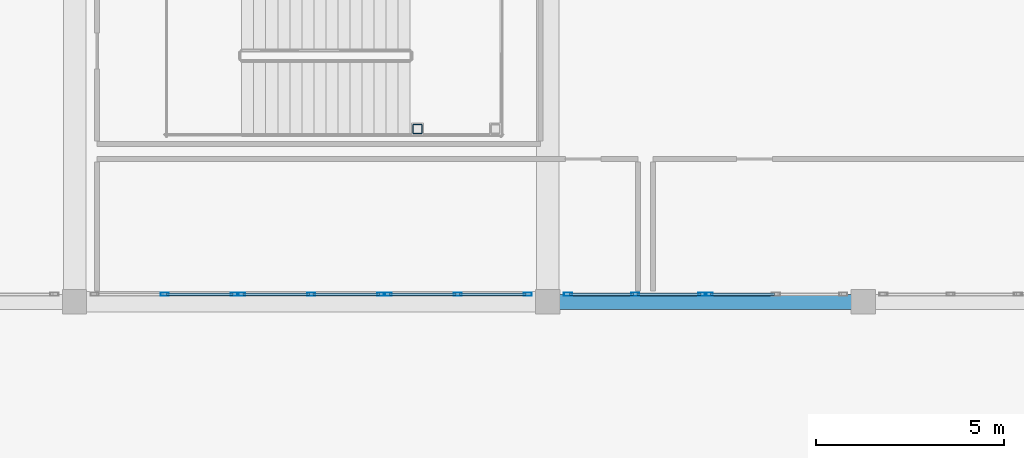
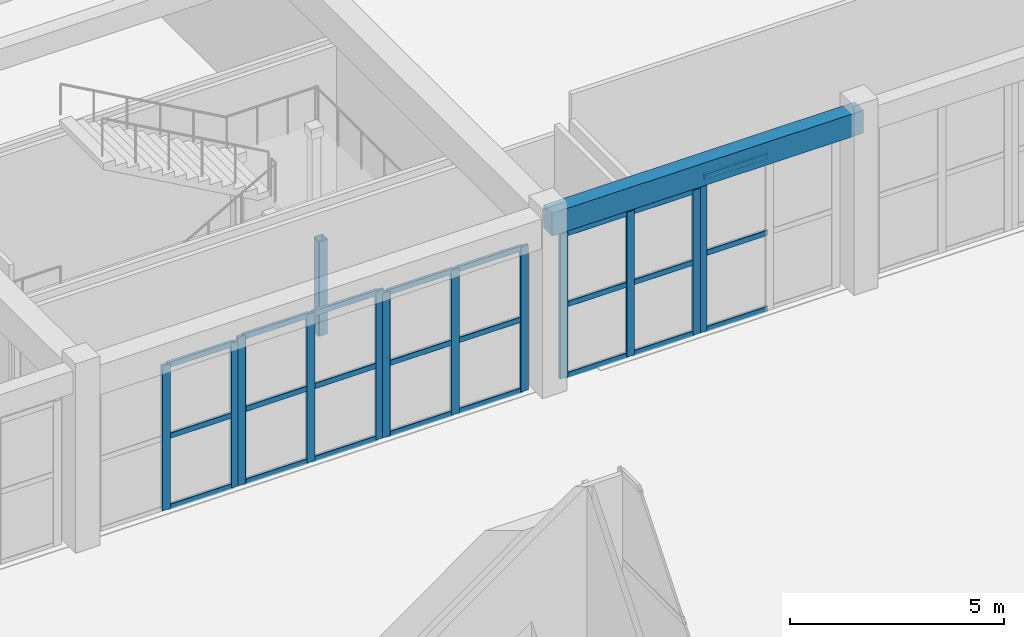
# One storey, part 20 of 98: 37 members, 1 beam, 5 elements without a shape of their own.
"""IFC4 building model written with IfcOpenShell, lengths in metres."""

import ifcopenshell
import ifcopenshell.guid

model = None  # the IFC model being written
_history = None  # IfcOwnerHistory: only IFC2X3 demands one
_inside = {}  # id of a spatial element -> (the spatial element, [elements in it])
_under = {}  # id of a project, library or spatial element -> (it, [spatial elements below it])
_declared = {}  # id of a project -> (the project, [libraries it declares])
_typed = {}  # id of a type object -> (the type object, [elements of that type])
_made_of = {}  # id of a material, layer set ... -> (it, [elements and type objects made of it])


def new_model(schema):
    """Start an empty IFC model of exactly this schema.

    Asked for "IFC4X3", IfcOpenShell would pick the latest addendum, in which some entities
    have other attributes; the version numbers below select the first issue.
    IFC2X3 requires an IfcOwnerHistory on every rooted entity: one is made here for all.
    """
    global model, _history
    if schema == "IFC4X3":
        model = ifcopenshell.file(schema_version=(4, 3, 0, 0))
    else:
        model = ifcopenshell.file(schema=schema)
    _inside.clear()
    _under.clear()
    _declared.clear()
    _typed.clear()
    _made_of.clear()
    _history = None
    if model.schema == "IFC2X3":
        org = make("IfcOrganization", Name="unknown")
        user = make(
            "IfcPersonAndOrganization",
            ThePerson=make("IfcPerson", FamilyName="unknown"),
            TheOrganization=org,
        )
        app = make(
            "IfcApplication",
            ApplicationDeveloper=org,
            Version="unknown",
            ApplicationFullName="unknown",
            ApplicationIdentifier="unknown",
        )
        _history = make(
            "IfcOwnerHistory",
            OwningUser=user,
            OwningApplication=app,
            ChangeAction="ADDED",
            CreationDate=0,
        )
    return model


def make(cls, **values):
    """One entity of the class cls with the attributes given. An attribute that is None is left unset."""
    return model.create_entity(
        cls, **{name: value for name, value in values.items() if value is not None}
    )


def rooted(cls, **values):
    """An entity with a GlobalId (a new one), such as an element, a storey or a relation."""
    return make(cls, GlobalId=ifcopenshell.guid.new(), OwnerHistory=_history, **values)


def si_unit(unit_type, name, prefix=None):
    """IfcSIUnit, for example si_unit("LENGTHUNIT", "METRE", prefix="MILLI")."""
    return make("IfcSIUnit", UnitType=unit_type, Prefix=prefix, Name=name)


def assignment(units):
    """IfcUnitAssignment: the units of a project."""
    return None if units is None else make("IfcUnitAssignment", Units=units)


def point(xyz):
    """IfcCartesianPoint."""
    return None if xyz is None else make("IfcCartesianPoint", Coordinates=xyz)


def direction(xyz):
    """IfcDirection."""
    return None if xyz is None else make("IfcDirection", DirectionRatios=xyz)


def frame(location, z_axis=None, x_axis=None):
    """IfcAxis2Placement3D, a coordinate frame: its origin and axes. An axis left out is left unset."""
    return make(
        "IfcAxis2Placement3D",
        Location=point(location),
        Axis=direction(z_axis),
        RefDirection=direction(x_axis),
    )


def frame_2d(location, x_axis=None):
    """IfcAxis2Placement2D, a coordinate frame in the plane: its origin and x axis."""
    return make(
        "IfcAxis2Placement2D", Location=point(location), RefDirection=direction(x_axis)
    )


def origin():
    """The frame at (0, 0, 0) with its axes left unset."""
    return frame((0.0, 0.0, 0.0))


def origin_2d():
    """The frame at (0, 0) in the plane with its x axis left unset."""
    return frame_2d((0.0, 0.0))


def place(relative_to, where):
    """IfcLocalPlacement: puts the frame where relative to a parent placement (None: the world)."""
    return make(
        "IfcLocalPlacement", PlacementRelTo=relative_to, RelativePlacement=where
    )


def context(
    kind, dimensions, precision=None, world=None, true_north=None, identifier=None
):
    """IfcGeometricRepresentationContext, for example the 3D "Model" context."""
    return make(
        "IfcGeometricRepresentationContext",
        ContextIdentifier=identifier,
        ContextType=kind,
        CoordinateSpaceDimension=dimensions,
        Precision=precision,
        WorldCoordinateSystem=world,
        TrueNorth=true_north,
    )


def subcontext(parent, identifier, kind, view, scale=None):
    """IfcGeometricRepresentationSubContext, for example "Body" below "Model"."""
    return make(
        "IfcGeometricRepresentationSubContext",
        ContextIdentifier=identifier,
        ContextType=kind,
        ParentContext=parent,
        TargetScale=scale,
        TargetView=view,
    )


def project(units=None, contexts=None):
    """IfcProject with its units and contexts."""
    return rooted(
        "IfcProject",
        Name="project",
        RepresentationContexts=contexts,
        UnitsInContext=assignment(units),
    )


def spatial(cls, under=None, at=None, **own):
    """A site, building, storey or space (cls), placed at a placement, below another one or the project."""
    s = rooted(cls, ObjectPlacement=at, **own)
    if under is not None:
        _under.setdefault(under.id(), (under, []))[1].append(s)
    return s


def profile(cls, at=None, kind="AREA", **sizes):
    """A parametric profile (cls). Its sizes go by their IFC names, for example OverallWidth=200.0."""
    return make(cls, ProfileType=kind, Position=at, **sizes)


def rectangle(**sizes):
    """IfcRectangleProfileDef."""
    return profile("IfcRectangleProfileDef", **sizes)


def hollow_rectangle(**sizes):
    """IfcRectangleHollowProfileDef."""
    return profile("IfcRectangleHollowProfileDef", **sizes)


def extrude(swept, where, along, depth):
    """IfcExtrudedAreaSolid: the profile swept, set in the frame where, extruded along a direction by depth."""
    return make(
        "IfcExtrudedAreaSolid",
        SweptArea=swept,
        Position=where,
        ExtrudedDirection=direction(along),
        Depth=depth,
    )


def shape(context_of_items, identifier, shape_type, items):
    """IfcShapeRepresentation: the items that make up one representation, for example the "Body"."""
    return make(
        "IfcShapeRepresentation",
        ContextOfItems=context_of_items,
        RepresentationIdentifier=identifier,
        RepresentationType=shape_type,
        Items=items,
    )


def material(Name=None, Category=None):
    """IfcMaterial."""
    return make("IfcMaterial", Name=Name, Category=Category)


def layer(
    of_material, thickness, ventilated=None, Name=None, Category=None, Priority=None
):
    """IfcMaterialLayer: one layer of a wall or slab, of a material (None: an air gap)."""
    return make(
        "IfcMaterialLayer",
        Material=of_material,
        LayerThickness=thickness,
        IsVentilated=ventilated,
        Name=Name,
        Category=Category,
        Priority=Priority,
    )


def layer_set(layers, Name=None):
    """IfcMaterialLayerSet."""
    return make("IfcMaterialLayerSet", MaterialLayers=layers, LayerSetName=Name)


def material_profile(
    of_material, cross_section, Name=None, Category=None, Priority=None
):
    """IfcMaterialProfile: a cross section and its material."""
    return make(
        "IfcMaterialProfile",
        Name=Name,
        Material=of_material,
        Profile=cross_section,
        Priority=Priority,
        Category=Category,
    )


def profile_set(profiles, Name=None, composite=None):
    """IfcMaterialProfileSet."""
    return make(
        "IfcMaterialProfileSet",
        Name=Name,
        MaterialProfiles=profiles,
        CompositeProfile=composite,
    )


def made_of(thing, what):
    """Note that an element or type object is made of a material, layer set ...; save() writes the relation."""
    if what is not None:
        _made_of.setdefault(what.id(), (what, []))[1].append(thing)
    return thing


def type_object(cls, material=None, **own):
    """A type object (cls), such as IfcWallType, which elements share."""
    return made_of(rooted(cls, **own), material)


def element(
    cls,
    number,
    at=None,
    inside=None,
    cuts=None,
    type_object=None,
    material=None,
    context=None,
    identifier="Body",
    shape_type=None,
    held_by="IfcProductDefinitionShape",
    body=None,
    shapes=None,
    **own,
):
    """One element of the class cls, such as IfcWall. Its Tag is "e" and its number.

    at: its placement. inside: the storey or other place that contains it. cuts: it is an
    opening in that element (IfcRelVoidsElement). A single representation is given by context,
    identifier, shape_type and body (its items); several are given by shapes. held_by: the class
    of the entity that holds the representations. save() writes the other relations.
    """
    e = rooted(cls, Tag="e%d" % number, ObjectPlacement=at, **own)
    if body is not None:
        shapes = [shape(context, identifier, shape_type, body)]
    if shapes is not None:
        e.Representation = make(held_by, Representations=shapes)
    if inside is not None:
        _inside.setdefault(inside.id(), (inside, []))[1].append(e)
    if cuts is not None:
        rooted(
            "IfcRelVoidsElement", RelatingBuildingElement=cuts, RelatedOpeningElement=e
        )
    if type_object is not None:
        _typed.setdefault(type_object.id(), (type_object, []))[1].append(e)
    return made_of(e, material)


def aggregate(whole, parts):
    """IfcRelAggregates: a whole, such as a stair, and the parts it consists of."""
    return rooted("IfcRelAggregates", RelatingObject=whole, RelatedObjects=parts)


def save(model, path):
    """Write the relations noted so far, then the file.

    IfcRelAggregates (storeys below a building ...), IfcRelContainedInSpatialStructure (elements
    in a storey), IfcRelDefinesByType, IfcRelAssociatesMaterial and IfcRelDeclares: one each for
    every whole, place, type object, material and project.
    """
    for whole, parts in _under.values():
        aggregate(whole, parts)
    for where, things in _inside.values():
        rooted(
            "IfcRelContainedInSpatialStructure",
            RelatedElements=things,
            RelatingStructure=where,
        )
    for kind, things in _typed.values():
        rooted("IfcRelDefinesByType", RelatedObjects=things, RelatingType=kind)
    for what, things in _made_of.values():
        rooted("IfcRelAssociatesMaterial", RelatedObjects=things, RelatingMaterial=what)
    for by, libraries in _declared.values():
        rooted("IfcRelDeclares", RelatingContext=by, RelatedDefinitions=libraries)
    model.write(path)


model = new_model("IFC4")

# Units and contexts
model_context = context("Model", 3, precision=1e-05, world=origin(), true_north=direction((0.0, 1.0)))
body_context = subcontext(model_context, "Body", "Model", "MODEL_VIEW")
ifc_project = project(units=[si_unit("LENGTHUNIT", "METRE"), si_unit("AREAUNIT", "SQUARE_METRE"), si_unit("VOLUMEUNIT", "CUBIC_METRE"), si_unit("PLANEANGLEUNIT", "RADIAN"), si_unit("MASSUNIT", "GRAM", prefix="KILO")], contexts=[model_context])

# Site, building, storey
site_placement = place(None, origin())
site = spatial("IfcSite", under=ifc_project, at=site_placement, CompositionType="ELEMENT")
building_placement = place(site_placement, origin())
building = spatial("IfcBuilding", under=site, at=building_placement, Name="Tarnavel Promenade Courthouse", CompositionType="ELEMENT")
storey_placement = place(building_placement, origin())
storey = spatial("IfcBuildingStorey", under=building, at=storey_placement, Name="L01", CompositionType="ELEMENT", Elevation=0.0)

# Beam
ifc_material_1 = material(Name="Concrete C40/50", Category="concrete")
ifc_material_profile_1 = material_profile(ifc_material_1, rectangle(XDim=0.39990234375, YDim=0.64990234375, at=origin_2d()), Name="RC 400x650")
ifc_profile_set_1 = profile_set([ifc_material_profile_1], Name="Concrete C40/50")
beam_type = type_object("IfcBeamType", Name="Concrete C40/50 BM-RC-400x650 (RC 400x650)", PredefinedType="BEAM", material=ifc_profile_set_1)
beam_placement = place(storey_placement, frame((58.800048828125, 46.800048828125, 4.77001953125), z_axis=(1.0, 0.0, 0.0), x_axis=(0.0, 1.0, 0.0)))
element("IfcBeam", 1, at=beam_placement, inside=storey, type_object=beam_type, Name="L01 Primary Longitudinal Beam 0620", PredefinedType="BEAM", context=body_context, shape_type="SweptSolid", body=[
    extrude(rectangle(XDim=0.39990234375, YDim=0.64990234375, at=origin_2d()), origin(), (0.0, 0.0, 1.0), 8.39990234375),
])

# Member
ifc_material_2 = material(Name="Steel S355J2", Category="steel")
ifc_material_profile_2 = material_profile(ifc_material_2, hollow_rectangle(XDim=0.25, YDim=0.25, WallThickness=0.012451171875, InnerFilletRadius=0.012451171875, OuterFilletRadius=0.02490234375, at=origin_2d()), Name="SHS 250x250x12.5")
ifc_profile_set_2 = profile_set([ifc_material_profile_2], Name="Steel S355J2")
member_type_1 = type_object("IfcMemberType", Name="Steel S355J2 MEM-STR-SHS250 (SHS 250x250x12.5)", PredefinedType="STRUT", material=ifc_profile_set_2)
member_1_placement = place(storey_placement, frame((55.330078125, 51.39990234375, 0.0), z_axis=(0.0, 0.0, 1.0), x_axis=(1.0, 0.0, 0.0)))
element("IfcMember", 2, at=member_1_placement, inside=storey, type_object=member_type_1, Name="L01 ST-10 Monumental Stair Landing Post 1", PredefinedType="STRUT", context=body_context, shape_type="SweptSolid", body=[
    extrude(hollow_rectangle(XDim=0.25, YDim=0.25, WallThickness=0.012451171875, InnerFilletRadius=0.012451171875, OuterFilletRadius=0.02490234375, at=origin_2d()), origin(), (0.0, 0.0, 1.0), 2.699951171875),
])

# Curtain wall, members
ifc_material_3 = material(Name="Thermally Broken Anodised Aluminium Curtain Wall System", Category="aluminium")
ifc_layer = layer(ifc_material_3, 0.239990234375)
ifc_layer_set = layer_set([ifc_layer], Name="Thermally Broken Anodised Aluminium Curtain Wall System")
curtain_wall_type = type_object("IfcCurtainWallType", Name="Thermally Broken Aluminium Triple-Glazed Curtain Wall CW-WG-S", PredefinedType="NOTDEFINED", material=ifc_layer_set)
curtain_wall_1_placement = place(storey_placement, origin())
curtain_wall_1 = element("IfcCurtainWall", 3, at=curtain_wall_1_placement, inside=storey, type_object=curtain_wall_type, Name="L01 Winter-Garden South Solar Curtain Wall 044", PredefinedType="NOTDEFINED")
ifc_material_4 = material(Name="Thermally Broken Anodised Aluminium Frame", Category="aluminium")
ifc_material_profile_3 = material_profile(ifc_material_4, hollow_rectangle(XDim=0.090087890625, YDim=0.219970703125, WallThickness=0.0048828125, InnerFilletRadius=0.0048828125, OuterFilletRadius=0.010009765625, at=origin_2d()), Name="CWM 220x90x5")
ifc_profile_set_3 = profile_set([ifc_material_profile_3], Name="Thermally Broken Anodised Aluminium Frame")
member_type_2 = type_object("IfcMemberType", Name="Thermally Broken Anodised Aluminium CWM-175 (CWM 220x90x5)", PredefinedType="MULLION", material=ifc_profile_set_3)
member_2_placement = place(storey_placement, frame((48.60009765625, 47.0, 0.0), z_axis=(0.0, 0.0, 1.0), x_axis=(0.0, 1.0, 0.0)))
member_2 = element("IfcMember", 4, at=member_2_placement, type_object=member_type_2, Name="CW-02 mullion 2", PredefinedType="MULLION", context=body_context, shape_type="SweptSolid", body=[
    extrude(hollow_rectangle(XDim=0.090087890625, YDim=0.219970703125, WallThickness=0.0048828125, InnerFilletRadius=0.0048828125, OuterFilletRadius=0.010009765625, at=origin_2d()), origin(), (0.0, 0.0, 1.0), 4.1298828125),
])
member_3_placement = place(storey_placement, frame((50.465087890625, 47.0, 0.0), z_axis=(0.0, 0.0, 1.0), x_axis=(0.0, 1.0, 0.0)))
member_3 = element("IfcMember", 5, at=member_3_placement, type_object=member_type_2, Name="CW-02 mullion 3", PredefinedType="MULLION", context=body_context, shape_type="SweptSolid", body=[
    extrude(hollow_rectangle(XDim=0.090087890625, YDim=0.219970703125, WallThickness=0.0048828125, InnerFilletRadius=0.0048828125, OuterFilletRadius=0.010009765625, at=origin_2d()), origin(), (0.0, 0.0, 1.0), 4.1298828125),
])

curtain_wall_2_placement = place(storey_placement, origin())
curtain_wall_2 = element("IfcCurtainWall", 6, at=curtain_wall_2_placement, inside=storey, type_object=curtain_wall_type, Name="L01 Winter-Garden South Solar Curtain Wall 045", PredefinedType="NOTDEFINED")
member_4_placement = place(storey_placement, frame((50.635009765625, 47.0, 0.0), z_axis=(0.0, 0.0, 1.0), x_axis=(0.0, 1.0, 0.0)))
member_4 = element("IfcMember", 7, at=member_4_placement, type_object=member_type_2, Name="CW-02 mullion 1", PredefinedType="MULLION", context=body_context, shape_type="SweptSolid", body=[
    extrude(hollow_rectangle(XDim=0.090087890625, YDim=0.219970703125, WallThickness=0.0048828125, InnerFilletRadius=0.0048828125, OuterFilletRadius=0.010009765625, at=origin_2d()), origin(), (0.0, 0.0, 1.0), 4.22998046875),
])
member_5_placement = place(storey_placement, frame((52.5, 47.0, 0.0), z_axis=(0.0, 0.0, 1.0), x_axis=(0.0, 1.0, 0.0)))
member_5 = element("IfcMember", 8, at=member_5_placement, type_object=member_type_2, Name="CW-02 mullion 2", PredefinedType="MULLION", context=body_context, shape_type="SweptSolid", body=[
    extrude(hollow_rectangle(XDim=0.090087890625, YDim=0.219970703125, WallThickness=0.0048828125, InnerFilletRadius=0.0048828125, OuterFilletRadius=0.010009765625, at=origin_2d()), origin(), (0.0, 0.0, 1.0), 4.22998046875),
])
member_6_placement = place(storey_placement, frame((54.364990234375, 47.0, 0.0), z_axis=(0.0, 0.0, 1.0), x_axis=(0.0, 1.0, 0.0)))
member_6 = element("IfcMember", 9, at=member_6_placement, type_object=member_type_2, Name="CW-02 mullion 3", PredefinedType="MULLION", context=body_context, shape_type="SweptSolid", body=[
    extrude(hollow_rectangle(XDim=0.090087890625, YDim=0.219970703125, WallThickness=0.0048828125, InnerFilletRadius=0.0048828125, OuterFilletRadius=0.010009765625, at=origin_2d()), origin(), (0.0, 0.0, 1.0), 4.22998046875),
])

curtain_wall_3_placement = place(storey_placement, origin())
curtain_wall_3 = element("IfcCurtainWall", 10, at=curtain_wall_3_placement, inside=storey, type_object=curtain_wall_type, Name="L01 Winter-Garden South Solar Curtain Wall 046", PredefinedType="NOTDEFINED")
member_7_placement = place(storey_placement, frame((54.534912109375, 47.0, 0.0), z_axis=(0.0, 0.0, 1.0), x_axis=(0.0, 1.0, 0.0)))
member_7 = element("IfcMember", 11, at=member_7_placement, type_object=member_type_2, Name="CW-02 mullion 1", PredefinedType="MULLION", context=body_context, shape_type="SweptSolid", body=[
    extrude(hollow_rectangle(XDim=0.090087890625, YDim=0.219970703125, WallThickness=0.0048828125, InnerFilletRadius=0.0048828125, OuterFilletRadius=0.010009765625, at=origin_2d()), origin(), (0.0, 0.0, 1.0), 4.1298828125),
])
member_8_placement = place(storey_placement, frame((56.39990234375, 47.0, 0.0), z_axis=(0.0, 0.0, 1.0), x_axis=(0.0, 1.0, 0.0)))
member_8 = element("IfcMember", 12, at=member_8_placement, type_object=member_type_2, Name="CW-02 mullion 2", PredefinedType="MULLION", context=body_context, shape_type="SweptSolid", body=[
    extrude(hollow_rectangle(XDim=0.090087890625, YDim=0.219970703125, WallThickness=0.0048828125, InnerFilletRadius=0.0048828125, OuterFilletRadius=0.010009765625, at=origin_2d()), origin(), (0.0, 0.0, 1.0), 4.1298828125),
])
member_9_placement = place(storey_placement, frame((58.264892578125, 47.0, 0.0), z_axis=(0.0, 0.0, 1.0), x_axis=(0.0, 1.0, 0.0)))
member_9 = element("IfcMember", 13, at=member_9_placement, type_object=member_type_2, Name="CW-02 mullion 3", PredefinedType="MULLION", context=body_context, shape_type="SweptSolid", body=[
    extrude(hollow_rectangle(XDim=0.090087890625, YDim=0.219970703125, WallThickness=0.0048828125, InnerFilletRadius=0.0048828125, OuterFilletRadius=0.010009765625, at=origin_2d()), origin(), (0.0, 0.0, 1.0), 4.1298828125),
])

curtain_wall_4_placement = place(storey_placement, origin())
curtain_wall_4 = element("IfcCurtainWall", 14, at=curtain_wall_4_placement, inside=storey, type_object=curtain_wall_type, Name="L01 Winter-Garden South Solar Curtain Wall 047", PredefinedType="NOTDEFINED")
member_10_placement = place(storey_placement, frame((59.3349609375, 47.0, 0.0), z_axis=(0.0, 0.0, 1.0), x_axis=(0.0, 1.0, 0.0)))
member_10 = element("IfcMember", 15, at=member_10_placement, type_object=member_type_2, Name="CW-02 mullion 1", PredefinedType="MULLION", context=body_context, shape_type="SweptSolid", body=[
    extrude(hollow_rectangle(XDim=0.090087890625, YDim=0.219970703125, WallThickness=0.0048828125, InnerFilletRadius=0.0048828125, OuterFilletRadius=0.010009765625, at=origin_2d()), origin(), (0.0, 0.0, 1.0), 4.1298828125),
])
member_11_placement = place(storey_placement, frame((61.125, 47.0, 0.0), z_axis=(0.0, 0.0, 1.0), x_axis=(0.0, 1.0, 0.0)))
member_11 = element("IfcMember", 16, at=member_11_placement, type_object=member_type_2, Name="CW-02 mullion 2", PredefinedType="MULLION", context=body_context, shape_type="SweptSolid", body=[
    extrude(hollow_rectangle(XDim=0.090087890625, YDim=0.219970703125, WallThickness=0.0048828125, InnerFilletRadius=0.0048828125, OuterFilletRadius=0.010009765625, at=origin_2d()), origin(), (0.0, 0.0, 1.0), 4.1298828125),
])
member_12_placement = place(storey_placement, frame((62.9150390625, 47.0, 0.0), z_axis=(0.0, 0.0, 1.0), x_axis=(0.0, 1.0, 0.0)))
member_12 = element("IfcMember", 17, at=member_12_placement, type_object=member_type_2, Name="CW-02 mullion 3", PredefinedType="MULLION", context=body_context, shape_type="SweptSolid", body=[
    extrude(hollow_rectangle(XDim=0.090087890625, YDim=0.219970703125, WallThickness=0.0048828125, InnerFilletRadius=0.0048828125, OuterFilletRadius=0.010009765625, at=origin_2d()), origin(), (0.0, 0.0, 1.0), 4.1298828125),
])

# Curtain wall, member
curtain_wall_5_placement = place(storey_placement, origin())
curtain_wall_5 = element("IfcCurtainWall", 18, at=curtain_wall_5_placement, inside=storey, type_object=curtain_wall_type, Name="L01 Winter-Garden South Solar Curtain Wall 048", PredefinedType="NOTDEFINED")
member_13_placement = place(storey_placement, frame((63.0849609375, 47.0, 0.0), z_axis=(0.0, 0.0, 1.0), x_axis=(0.0, 1.0, 0.0)))
member_13 = element("IfcMember", 19, at=member_13_placement, type_object=member_type_2, Name="CW-02 mullion 1", PredefinedType="MULLION", context=body_context, shape_type="SweptSolid", body=[
    extrude(hollow_rectangle(XDim=0.090087890625, YDim=0.219970703125, WallThickness=0.0048828125, InnerFilletRadius=0.0048828125, OuterFilletRadius=0.010009765625, at=origin_2d()), origin(), (0.0, 0.0, 1.0), 4.429931640625),
])

# Member
ifc_material_profile_4 = material_profile(ifc_material_4, hollow_rectangle(XDim=0.080078125, YDim=0.159912109375, WallThickness=0.0048828125, InnerFilletRadius=0.0048828125, OuterFilletRadius=0.010009765625, at=origin_2d()), Name="CWT 160x80x5")
ifc_profile_set_4 = profile_set([ifc_material_profile_4], Name="Thermally Broken Anodised Aluminium Frame")
member_type_3 = type_object("IfcMemberType", Name="Thermally Broken Anodised Aluminium CWT-145 (CWT 160x80x5)", PredefinedType="USERDEFINED", material=ifc_profile_set_4)
member_14_placement = place(storey_placement, frame((48.64501953125, 47.0, 0.0400390625), z_axis=(1.0, 0.0, 0.0), x_axis=(0.0, 1.0, 0.0)))
member_14 = element("IfcMember", 20, at=member_14_placement, type_object=member_type_3, Name="CW-02 transom 2.1", ObjectType="TRANSOM", PredefinedType="USERDEFINED", context=body_context, shape_type="SweptSolid", body=[
    extrude(hollow_rectangle(XDim=0.080078125, YDim=0.159912109375, WallThickness=0.0048828125, InnerFilletRadius=0.0048828125, OuterFilletRadius=0.010009765625, at=origin_2d()), origin(), (0.0, 0.0, 1.0), 1.77490234375),
])

member_15_placement = place(storey_placement, frame((48.64501953125, 47.0, 2.06494140625), z_axis=(1.0, 0.0, 0.0), x_axis=(0.0, 1.0, 0.0)))
member_15 = element("IfcMember", 21, at=member_15_placement, type_object=member_type_3, Name="CW-02 transom 2.2", ObjectType="TRANSOM", PredefinedType="USERDEFINED", context=body_context, shape_type="SweptSolid", body=[
    extrude(hollow_rectangle(XDim=0.080078125, YDim=0.159912109375, WallThickness=0.0048828125, InnerFilletRadius=0.0048828125, OuterFilletRadius=0.010009765625, at=origin_2d()), origin(), (0.0, 0.0, 1.0), 1.77490234375),
])

member_16_placement = place(storey_placement, frame((48.64501953125, 47.0, 4.090087890625), z_axis=(1.0, 0.0, 0.0), x_axis=(0.0, 1.0, 0.0)))
member_16 = element("IfcMember", 22, at=member_16_placement, type_object=member_type_3, Name="CW-02 transom 2.3", ObjectType="TRANSOM", PredefinedType="USERDEFINED", context=body_context, shape_type="SweptSolid", body=[
    extrude(hollow_rectangle(XDim=0.080078125, YDim=0.159912109375, WallThickness=0.0048828125, InnerFilletRadius=0.0048828125, OuterFilletRadius=0.010009765625, at=origin_2d()), origin(), (0.0, 0.0, 1.0), 1.77490234375),
])

aggregate(curtain_wall_1, [member_2, member_3, member_14, member_15, member_16])

member_17_placement = place(storey_placement, frame((50.679931640625, 47.0, 0.0400390625), z_axis=(1.0, 0.0, 0.0), x_axis=(0.0, 1.0, 0.0)))
member_17 = element("IfcMember", 23, at=member_17_placement, type_object=member_type_3, Name="CW-02 transom 1.1", ObjectType="TRANSOM", PredefinedType="USERDEFINED", context=body_context, shape_type="SweptSolid", body=[
    extrude(hollow_rectangle(XDim=0.080078125, YDim=0.159912109375, WallThickness=0.0048828125, InnerFilletRadius=0.0048828125, OuterFilletRadius=0.010009765625, at=origin_2d()), origin(), (0.0, 0.0, 1.0), 1.775146484375),
])

member_18_placement = place(storey_placement, frame((50.679931640625, 47.0, 2.114990234375), z_axis=(1.0, 0.0, 0.0), x_axis=(0.0, 1.0, 0.0)))
member_18 = element("IfcMember", 24, at=member_18_placement, type_object=member_type_3, Name="CW-02 transom 1.2", ObjectType="TRANSOM", PredefinedType="USERDEFINED", context=body_context, shape_type="SweptSolid", body=[
    extrude(hollow_rectangle(XDim=0.080078125, YDim=0.159912109375, WallThickness=0.0048828125, InnerFilletRadius=0.0048828125, OuterFilletRadius=0.010009765625, at=origin_2d()), origin(), (0.0, 0.0, 1.0), 1.775146484375),
])

member_19_placement = place(storey_placement, frame((50.679931640625, 47.0, 4.18994140625), z_axis=(1.0, 0.0, 0.0), x_axis=(0.0, 1.0, 0.0)))
member_19 = element("IfcMember", 25, at=member_19_placement, type_object=member_type_3, Name="CW-02 transom 1.3", ObjectType="TRANSOM", PredefinedType="USERDEFINED", context=body_context, shape_type="SweptSolid", body=[
    extrude(hollow_rectangle(XDim=0.080078125, YDim=0.159912109375, WallThickness=0.0048828125, InnerFilletRadius=0.0048828125, OuterFilletRadius=0.010009765625, at=origin_2d()), origin(), (0.0, 0.0, 1.0), 1.775146484375),
])

member_20_placement = place(storey_placement, frame((52.544921875, 47.0, 0.0400390625), z_axis=(1.0, 0.0, 0.0), x_axis=(0.0, 1.0, 0.0)))
member_20 = element("IfcMember", 26, at=member_20_placement, type_object=member_type_3, Name="CW-02 transom 2.1", ObjectType="TRANSOM", PredefinedType="USERDEFINED", context=body_context, shape_type="SweptSolid", body=[
    extrude(hollow_rectangle(XDim=0.080078125, YDim=0.159912109375, WallThickness=0.0048828125, InnerFilletRadius=0.0048828125, OuterFilletRadius=0.010009765625, at=origin_2d()), origin(), (0.0, 0.0, 1.0), 1.775146484375),
])

member_21_placement = place(storey_placement, frame((52.544921875, 47.0, 2.114990234375), z_axis=(1.0, 0.0, 0.0), x_axis=(0.0, 1.0, 0.0)))
member_21 = element("IfcMember", 27, at=member_21_placement, type_object=member_type_3, Name="CW-02 transom 2.2", ObjectType="TRANSOM", PredefinedType="USERDEFINED", context=body_context, shape_type="SweptSolid", body=[
    extrude(hollow_rectangle(XDim=0.080078125, YDim=0.159912109375, WallThickness=0.0048828125, InnerFilletRadius=0.0048828125, OuterFilletRadius=0.010009765625, at=origin_2d()), origin(), (0.0, 0.0, 1.0), 1.775146484375),
])

member_22_placement = place(storey_placement, frame((52.544921875, 47.0, 4.18994140625), z_axis=(1.0, 0.0, 0.0), x_axis=(0.0, 1.0, 0.0)))
member_22 = element("IfcMember", 28, at=member_22_placement, type_object=member_type_3, Name="CW-02 transom 2.3", ObjectType="TRANSOM", PredefinedType="USERDEFINED", context=body_context, shape_type="SweptSolid", body=[
    extrude(hollow_rectangle(XDim=0.080078125, YDim=0.159912109375, WallThickness=0.0048828125, InnerFilletRadius=0.0048828125, OuterFilletRadius=0.010009765625, at=origin_2d()), origin(), (0.0, 0.0, 1.0), 1.775146484375),
])

aggregate(curtain_wall_2, [member_4, member_5, member_6, member_17, member_18, member_19, member_20, member_21, member_22])

member_23_placement = place(storey_placement, frame((54.580078125, 47.0, 0.0400390625), z_axis=(1.0, 0.0, 0.0), x_axis=(0.0, 1.0, 0.0)))
member_23 = element("IfcMember", 29, at=member_23_placement, type_object=member_type_3, Name="CW-02 transom 1.1", ObjectType="TRANSOM", PredefinedType="USERDEFINED", context=body_context, shape_type="SweptSolid", body=[
    extrude(hollow_rectangle(XDim=0.080078125, YDim=0.159912109375, WallThickness=0.0048828125, InnerFilletRadius=0.0048828125, OuterFilletRadius=0.010009765625, at=origin_2d()), origin(), (0.0, 0.0, 1.0), 1.77490234375),
])

member_24_placement = place(storey_placement, frame((54.580078125, 47.0, 2.06494140625), z_axis=(1.0, 0.0, 0.0), x_axis=(0.0, 1.0, 0.0)))
member_24 = element("IfcMember", 30, at=member_24_placement, type_object=member_type_3, Name="CW-02 transom 1.2", ObjectType="TRANSOM", PredefinedType="USERDEFINED", context=body_context, shape_type="SweptSolid", body=[
    extrude(hollow_rectangle(XDim=0.080078125, YDim=0.159912109375, WallThickness=0.0048828125, InnerFilletRadius=0.0048828125, OuterFilletRadius=0.010009765625, at=origin_2d()), origin(), (0.0, 0.0, 1.0), 1.77490234375),
])

member_25_placement = place(storey_placement, frame((54.580078125, 47.0, 4.090087890625), z_axis=(1.0, 0.0, 0.0), x_axis=(0.0, 1.0, 0.0)))
member_25 = element("IfcMember", 31, at=member_25_placement, type_object=member_type_3, Name="CW-02 transom 1.3", ObjectType="TRANSOM", PredefinedType="USERDEFINED", context=body_context, shape_type="SweptSolid", body=[
    extrude(hollow_rectangle(XDim=0.080078125, YDim=0.159912109375, WallThickness=0.0048828125, InnerFilletRadius=0.0048828125, OuterFilletRadius=0.010009765625, at=origin_2d()), origin(), (0.0, 0.0, 1.0), 1.77490234375),
])

member_26_placement = place(storey_placement, frame((56.445068359375, 47.0, 0.0400390625), z_axis=(1.0, 0.0, 0.0), x_axis=(0.0, 1.0, 0.0)))
member_26 = element("IfcMember", 32, at=member_26_placement, type_object=member_type_3, Name="CW-02 transom 2.1", ObjectType="TRANSOM", PredefinedType="USERDEFINED", context=body_context, shape_type="SweptSolid", body=[
    extrude(hollow_rectangle(XDim=0.080078125, YDim=0.159912109375, WallThickness=0.0048828125, InnerFilletRadius=0.0048828125, OuterFilletRadius=0.010009765625, at=origin_2d()), origin(), (0.0, 0.0, 1.0), 1.77490234375),
])

member_27_placement = place(storey_placement, frame((56.445068359375, 47.0, 2.06494140625), z_axis=(1.0, 0.0, 0.0), x_axis=(0.0, 1.0, 0.0)))
member_27 = element("IfcMember", 33, at=member_27_placement, type_object=member_type_3, Name="CW-02 transom 2.2", ObjectType="TRANSOM", PredefinedType="USERDEFINED", context=body_context, shape_type="SweptSolid", body=[
    extrude(hollow_rectangle(XDim=0.080078125, YDim=0.159912109375, WallThickness=0.0048828125, InnerFilletRadius=0.0048828125, OuterFilletRadius=0.010009765625, at=origin_2d()), origin(), (0.0, 0.0, 1.0), 1.77490234375),
])

member_28_placement = place(storey_placement, frame((56.445068359375, 47.0, 4.090087890625), z_axis=(1.0, 0.0, 0.0), x_axis=(0.0, 1.0, 0.0)))
member_28 = element("IfcMember", 34, at=member_28_placement, type_object=member_type_3, Name="CW-02 transom 2.3", ObjectType="TRANSOM", PredefinedType="USERDEFINED", context=body_context, shape_type="SweptSolid", body=[
    extrude(hollow_rectangle(XDim=0.080078125, YDim=0.159912109375, WallThickness=0.0048828125, InnerFilletRadius=0.0048828125, OuterFilletRadius=0.010009765625, at=origin_2d()), origin(), (0.0, 0.0, 1.0), 1.77490234375),
])

aggregate(curtain_wall_3, [member_7, member_8, member_9, member_23, member_24, member_25, member_26, member_27, member_28])

member_29_placement = place(storey_placement, frame((59.3798828125, 47.0, 0.0400390625), z_axis=(1.0, 0.0, 0.0), x_axis=(0.0, 1.0, 0.0)))
member_29 = element("IfcMember", 35, at=member_29_placement, type_object=member_type_3, Name="CW-02 transom 1.1", ObjectType="TRANSOM", PredefinedType="USERDEFINED", context=body_context, shape_type="SweptSolid", body=[
    extrude(hollow_rectangle(XDim=0.080078125, YDim=0.159912109375, WallThickness=0.0048828125, InnerFilletRadius=0.0048828125, OuterFilletRadius=0.010009765625, at=origin_2d()), origin(), (0.0, 0.0, 1.0), 1.7001953125),
])

member_30_placement = place(storey_placement, frame((59.3798828125, 47.0, 2.06494140625), z_axis=(1.0, 0.0, 0.0), x_axis=(0.0, 1.0, 0.0)))
member_30 = element("IfcMember", 36, at=member_30_placement, type_object=member_type_3, Name="CW-02 transom 1.2", ObjectType="TRANSOM", PredefinedType="USERDEFINED", context=body_context, shape_type="SweptSolid", body=[
    extrude(hollow_rectangle(XDim=0.080078125, YDim=0.159912109375, WallThickness=0.0048828125, InnerFilletRadius=0.0048828125, OuterFilletRadius=0.010009765625, at=origin_2d()), origin(), (0.0, 0.0, 1.0), 1.7001953125),
])

member_31_placement = place(storey_placement, frame((59.3798828125, 47.0, 4.090087890625), z_axis=(1.0, 0.0, 0.0), x_axis=(0.0, 1.0, 0.0)))
member_31 = element("IfcMember", 37, at=member_31_placement, type_object=member_type_3, Name="CW-02 transom 1.3", ObjectType="TRANSOM", PredefinedType="USERDEFINED", context=body_context, shape_type="SweptSolid", body=[
    extrude(hollow_rectangle(XDim=0.080078125, YDim=0.159912109375, WallThickness=0.0048828125, InnerFilletRadius=0.0048828125, OuterFilletRadius=0.010009765625, at=origin_2d()), origin(), (0.0, 0.0, 1.0), 1.7001953125),
])

member_32_placement = place(storey_placement, frame((61.169921875, 47.0, 0.0400390625), z_axis=(1.0, 0.0, 0.0), x_axis=(0.0, 1.0, 0.0)))
member_32 = element("IfcMember", 38, at=member_32_placement, type_object=member_type_3, Name="CW-02 transom 2.1", ObjectType="TRANSOM", PredefinedType="USERDEFINED", context=body_context, shape_type="SweptSolid", body=[
    extrude(hollow_rectangle(XDim=0.080078125, YDim=0.159912109375, WallThickness=0.0048828125, InnerFilletRadius=0.0048828125, OuterFilletRadius=0.010009765625, at=origin_2d()), origin(), (0.0, 0.0, 1.0), 1.7001953125),
])

member_33_placement = place(storey_placement, frame((61.169921875, 47.0, 2.06494140625), z_axis=(1.0, 0.0, 0.0), x_axis=(0.0, 1.0, 0.0)))
member_33 = element("IfcMember", 39, at=member_33_placement, type_object=member_type_3, Name="CW-02 transom 2.2", ObjectType="TRANSOM", PredefinedType="USERDEFINED", context=body_context, shape_type="SweptSolid", body=[
    extrude(hollow_rectangle(XDim=0.080078125, YDim=0.159912109375, WallThickness=0.0048828125, InnerFilletRadius=0.0048828125, OuterFilletRadius=0.010009765625, at=origin_2d()), origin(), (0.0, 0.0, 1.0), 1.7001953125),
])

member_34_placement = place(storey_placement, frame((61.169921875, 47.0, 4.090087890625), z_axis=(1.0, 0.0, 0.0), x_axis=(0.0, 1.0, 0.0)))
member_34 = element("IfcMember", 40, at=member_34_placement, type_object=member_type_3, Name="CW-02 transom 2.3", ObjectType="TRANSOM", PredefinedType="USERDEFINED", context=body_context, shape_type="SweptSolid", body=[
    extrude(hollow_rectangle(XDim=0.080078125, YDim=0.159912109375, WallThickness=0.0048828125, InnerFilletRadius=0.0048828125, OuterFilletRadius=0.010009765625, at=origin_2d()), origin(), (0.0, 0.0, 1.0), 1.7001953125),
])

aggregate(curtain_wall_4, [member_10, member_11, member_12, member_29, member_30, member_31, member_32, member_33, member_34])

member_35_placement = place(storey_placement, frame((63.1298828125, 47.0, 0.0400390625), z_axis=(1.0, 0.0, 0.0), x_axis=(0.0, 1.0, 0.0)))
member_35 = element("IfcMember", 41, at=member_35_placement, type_object=member_type_3, Name="CW-02 transom 1.1", ObjectType="TRANSOM", PredefinedType="USERDEFINED", context=body_context, shape_type="SweptSolid", body=[
    extrude(hollow_rectangle(XDim=0.080078125, YDim=0.159912109375, WallThickness=0.0048828125, InnerFilletRadius=0.0048828125, OuterFilletRadius=0.010009765625, at=origin_2d()), origin(), (0.0, 0.0, 1.0), 1.7001953125),
])

member_36_placement = place(storey_placement, frame((63.1298828125, 47.0, 2.215087890625), z_axis=(1.0, 0.0, 0.0), x_axis=(0.0, 1.0, 0.0)))
member_36 = element("IfcMember", 42, at=member_36_placement, type_object=member_type_3, Name="CW-02 transom 1.2", ObjectType="TRANSOM", PredefinedType="USERDEFINED", context=body_context, shape_type="SweptSolid", body=[
    extrude(hollow_rectangle(XDim=0.080078125, YDim=0.159912109375, WallThickness=0.0048828125, InnerFilletRadius=0.0048828125, OuterFilletRadius=0.010009765625, at=origin_2d()), origin(), (0.0, 0.0, 1.0), 1.7001953125),
])

member_37_placement = place(storey_placement, frame((63.1298828125, 47.0, 4.389892578125), z_axis=(1.0, 0.0, 0.0), x_axis=(0.0, 1.0, 0.0)))
member_37 = element("IfcMember", 43, at=member_37_placement, type_object=member_type_3, Name="CW-02 transom 1.3", ObjectType="TRANSOM", PredefinedType="USERDEFINED", context=body_context, shape_type="SweptSolid", body=[
    extrude(hollow_rectangle(XDim=0.080078125, YDim=0.159912109375, WallThickness=0.0048828125, InnerFilletRadius=0.0048828125, OuterFilletRadius=0.010009765625, at=origin_2d()), origin(), (0.0, 0.0, 1.0), 1.7001953125),
])

aggregate(curtain_wall_5, [member_13, member_35, member_36, member_37])

save(model, "model.ifc")
